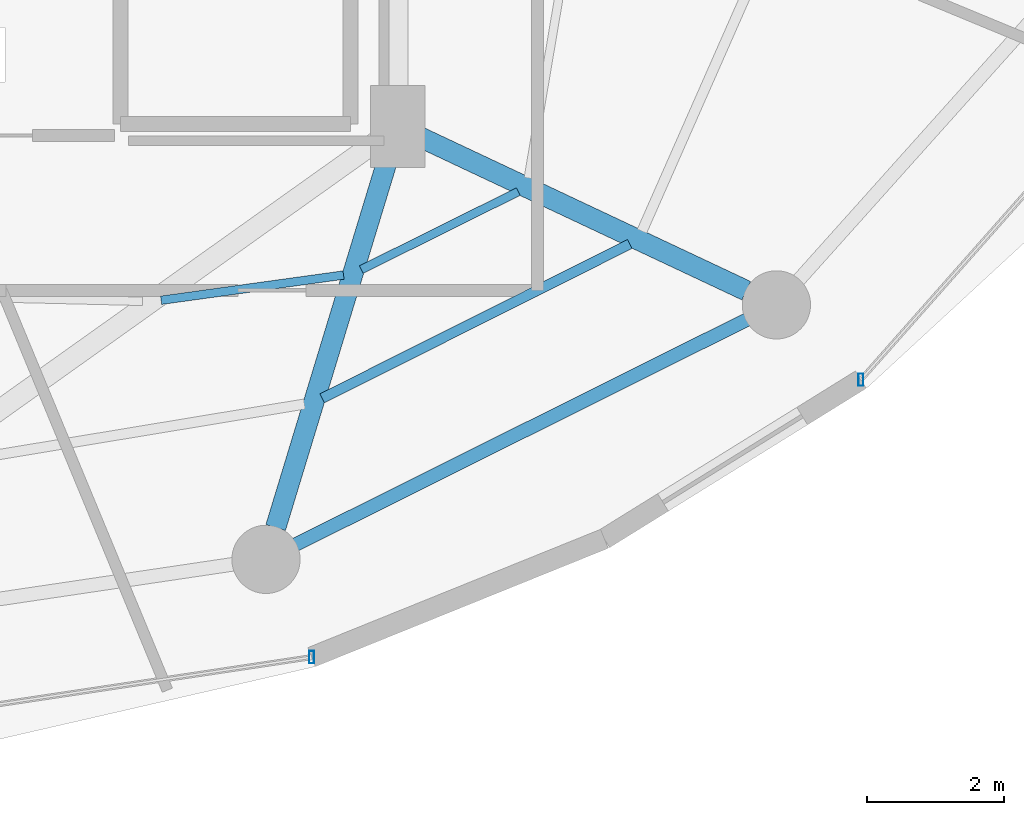
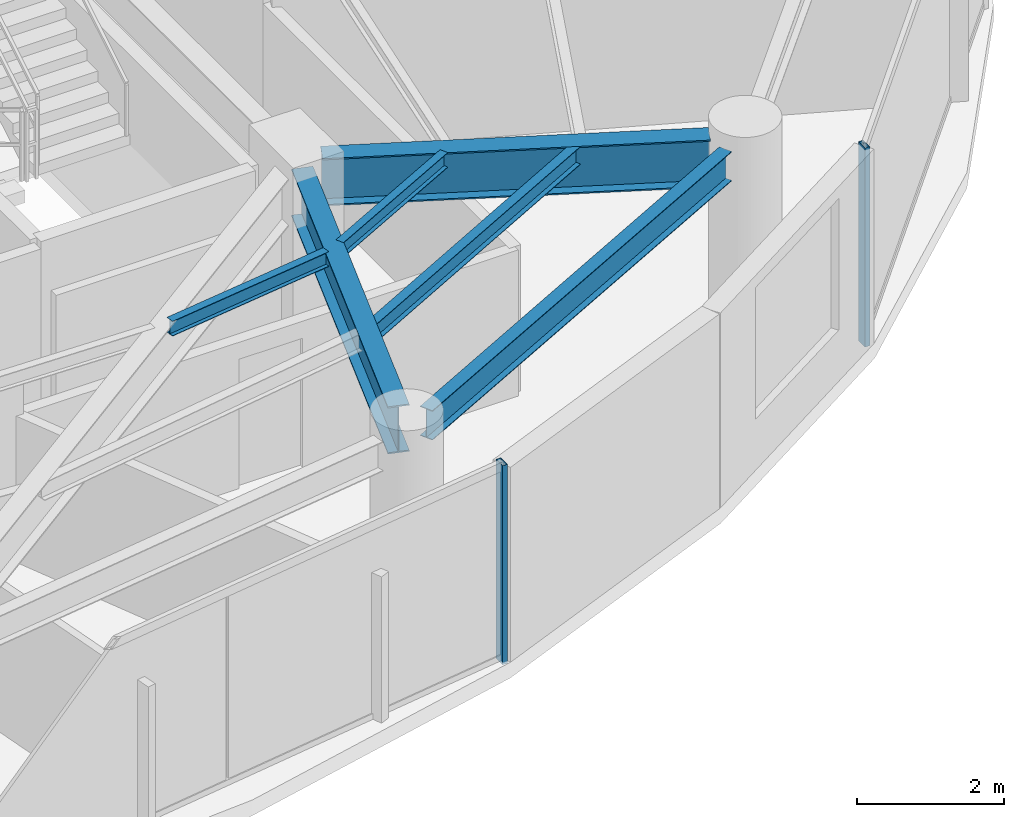
# One storey, part 10 of 28: 6 beams, 2 members, 2 elements without a shape of their own.
"""IFC4 building model written with IfcOpenShell, lengths in metres."""

from ifc_helpers import new_model, si_unit, direction, frame, origin, origin_2d, place, context, subcontext, project, spatial, hollow_rectangle, i_section, extrude, material, material_profile, profile_set, type_object, element, aggregate, save


model = new_model("IFC4")

# Units and contexts
model_context = context("Model", 3, precision=1e-05, world=origin(), true_north=direction((0.0, 1.0)))
body_context = subcontext(model_context, "Body", "Model", "MODEL_VIEW")
ifc_project = project(units=[si_unit("LENGTHUNIT", "METRE"), si_unit("AREAUNIT", "SQUARE_METRE"), si_unit("VOLUMEUNIT", "CUBIC_METRE"), si_unit("PLANEANGLEUNIT", "RADIAN"), si_unit("MASSUNIT", "GRAM", prefix="KILO")], contexts=[model_context])

# Site, building, storey
site_placement = place(None, origin())
site = spatial("IfcSite", under=ifc_project, at=site_placement, CompositionType="ELEMENT")
building_placement = place(site_placement, origin())
building = spatial("IfcBuilding", under=site, at=building_placement, Name="Vorneva Point Tower", CompositionType="ELEMENT")
storey_placement = place(building_placement, frame((0.0, 0.0, 146.60009765625)))
storey = spatial("IfcBuildingStorey", under=building, at=storey_placement, Name="L39", CompositionType="ELEMENT", Elevation=146.60009765625)

# Beams
ifc_material_1 = material(Name="Steel S355", Category="steel")
ifc_material_profile_1 = material_profile(ifc_material_1, i_section(OverallWidth=0.300048828125, OverallDepth=0.7880859375, WebThickness=0.014404296875, FlangeThickness=0.02197265625, at=origin_2d()), Name="80Sh1")
ifc_profile_set_1 = profile_set([ifc_material_profile_1], Name="Steel S355")
beam_type_1 = type_object("IfcBeamType", Name="BM-GRD-80Sh1", PredefinedType="USERDEFINED", material=ifc_profile_set_1)
beam_1_placement = place(storey_placement, frame((46.962890625, 10.576171875, 2.845947265625), z_axis=(0.291049382966, 0.95670803105, 0.0), x_axis=(-0.95670803105, 0.291049382966, 0.0)))
element("IfcBeam", 1, at=beam_1_placement, inside=storey, type_object=beam_type_1, Name="L39 Radial Primary Girder 14", ObjectType="GIRDER", PredefinedType="USERDEFINED", context=body_context, shape_type="SweptSolid", body=[
    extrude(i_section(OverallWidth=0.300048828125, OverallDepth=0.7880859375, WebThickness=0.014404296875, FlangeThickness=0.02197265625, at=origin_2d()), origin(), (0.0, 0.0, 1.0), 5.799560546875),
])
beam_2_placement = place(storey_placement, frame((53.857421875, 14.045654296875, 2.845947265625), z_axis=(-0.904761331435, 0.425918927896, 0.0), x_axis=(-0.425918927896, -0.904761331435, 0.0)))
element("IfcBeam", 2, at=beam_2_placement, inside=storey, type_object=beam_type_1, Name="L39 Radial Primary Girder 15", ObjectType="GIRDER", PredefinedType="USERDEFINED", context=body_context, shape_type="SweptSolid", body=[
    extrude(i_section(OverallWidth=0.300048828125, OverallDepth=0.7880859375, WebThickness=0.014404296875, FlangeThickness=0.02197265625, at=origin_2d()), origin(), (0.0, 0.0, 1.0), 5.304931640625),
])
ifc_material_profile_2 = material_profile(ifc_material_1, i_section(OverallWidth=0.1240234375, OverallDepth=0.248046875, WebThickness=0.0048828125, FlangeThickness=0.008056640625, at=origin_2d()), Name="25B1")
ifc_profile_set_2 = profile_set([ifc_material_profile_2], Name="Steel S355")
beam_type_2 = type_object("IfcBeamType", Name="BM-JST-25B1", PredefinedType="JOIST", material=ifc_profile_set_2)
beam_3_placement = place(storey_placement, frame((45.284912109375, 13.90576171875, 3.115966796875), z_axis=(0.990594076533, 0.136833386051, 0.0), x_axis=(-0.136833386051, 0.990594076533, 0.0)))
element("IfcBeam", 3, at=beam_3_placement, inside=storey, type_object=beam_type_2, Name="L39 Secondary Floor Beam 2.13", PredefinedType="JOIST", context=body_context, shape_type="SweptSolid", body=[
    extrude(i_section(OverallWidth=0.1240234375, OverallDepth=0.248046875, WebThickness=0.0048828125, FlangeThickness=0.008056640625, at=origin_2d()), origin(), (0.0, 0.0, 1.0), 2.69775390625),
])
beam_4_placement = place(storey_placement, frame((48.217529296875, 14.35498046875, 3.115966796875), z_axis=(0.895489131745, 0.445083379746, 0.0), x_axis=(-0.445083379746, 0.895489131745, 0.0)))
element("IfcBeam", 4, at=beam_4_placement, inside=storey, type_object=beam_type_2, Name="L39 Secondary Floor Beam 2.14", PredefinedType="JOIST", context=body_context, shape_type="SweptSolid", body=[
    extrude(i_section(OverallWidth=0.1240234375, OverallDepth=0.248046875, WebThickness=0.0048828125, FlangeThickness=0.008056640625, at=origin_2d()), origin(), (0.0, 0.0, 1.0), 2.56884765625),
])
ifc_material_profile_3 = material_profile(ifc_material_1, i_section(OverallWidth=0.14892578125, OverallDepth=0.298095703125, WebThickness=0.005615234375, FlangeThickness=0.008056640625, at=origin_2d()), Name="30B1")
ifc_profile_set_3 = profile_set([ifc_material_profile_3], Name="Steel S355")
beam_type_3 = type_object("IfcBeamType", Name="BM-JST-30B1", PredefinedType="JOIST", material=ifc_profile_set_3)
beam_5_placement = place(storey_placement, frame((47.643310546875, 12.468994140625, 3.0908203125), z_axis=(0.893855059999, 0.448356032316, 0.0), x_axis=(-0.448356032316, 0.893855059999, 0.0)))
element("IfcBeam", 5, at=beam_5_placement, inside=storey, type_object=beam_type_3, Name="L39 Secondary Floor Beam 1.14", PredefinedType="JOIST", context=body_context, shape_type="SweptSolid", body=[
    extrude(i_section(OverallWidth=0.14892578125, OverallDepth=0.298095703125, WebThickness=0.005615234375, FlangeThickness=0.008056640625, at=origin_2d()), origin(), (0.0, 0.0, 1.0), 5.041748046875),
])
ifc_material_profile_4 = material_profile(ifc_material_1, i_section(OverallWidth=0.199951171875, OverallDepth=0.491943359375, WebThickness=0.0087890625, FlangeThickness=0.011962890625, at=origin_2d()), Name="50B1")
ifc_profile_set_4 = profile_set([ifc_material_profile_4], Name="Steel S355")
beam_type_4 = type_object("IfcBeamType", Name="BM-SPN-50B1", PredefinedType="SPANDREL", material=ifc_profile_set_4)
beam_6_placement = place(storey_placement, frame((47.2548828125, 10.32568359375, 2.993896484375), z_axis=(0.894929061397, 0.446208443518, 0.0), x_axis=(-0.446208443518, 0.894929061397, 0.0)))
element("IfcBeam", 6, at=beam_6_placement, inside=storey, type_object=beam_type_4, Name="L39 Perimeter Spandrel Ring Beam 14", PredefinedType="SPANDREL", context=body_context, shape_type="SweptSolid", body=[
    extrude(i_section(OverallWidth=0.199951171875, OverallDepth=0.491943359375, WebThickness=0.0087890625, FlangeThickness=0.011962890625, at=origin_2d()), origin(), (0.0, 0.0, 1.0), 7.385986328125),
])

# Curtain wall, member
ifc_material_2 = material(Name="Pale anodised aluminium", Category="aluminium")
curtain_wall_type = type_object("IfcCurtainWallType", Name="CW-RES-SYS", PredefinedType="NOTDEFINED", material=ifc_material_2)
curtain_wall_1_placement = place(storey_placement, origin())
curtain_wall_1 = element("IfcCurtainWall", 7, at=curtain_wall_1_placement, inside=storey, type_object=curtain_wall_type, Name="L39 Unitised Curtain Wall CW-L39-R03", PredefinedType="NOTDEFINED")
ifc_material_profile_5 = material_profile(ifc_material_2, hollow_rectangle(XDim=0.074951171875, YDim=0.179931640625, WallThickness=0.00390625, at=origin_2d()), Name="AL-MUL 180x75x4")
ifc_profile_set_5 = profile_set([ifc_material_profile_5], Name="Pale anodised aluminium")
member_type = type_object("IfcMemberType", Name="CW-MUL-180", PredefinedType="MULLION", material=ifc_profile_set_5)
member_1_placement = place(storey_placement, frame((47.490478515625, 8.67724609375, -0.0400390625), z_axis=(0.0, 0.0, 1.0), x_axis=(1.0, 0.0, 0.0)))
member_1 = element("IfcMember", 8, at=member_1_placement, type_object=member_type, Name="CW-L39-R03 Mullion 02", PredefinedType="MULLION", context=body_context, shape_type="SweptSolid", body=[
    extrude(hollow_rectangle(XDim=0.074951171875, YDim=0.179931640625, WallThickness=0.00390625, at=origin_2d()), origin(), (0.0, 0.0, 1.0), 3.31005859375),
])
aggregate(curtain_wall_1, [member_1])

curtain_wall_2_placement = place(storey_placement, origin())
curtain_wall_2 = element("IfcCurtainWall", 9, at=curtain_wall_2_placement, inside=storey, type_object=curtain_wall_type, Name="L39 Unitised Curtain Wall CW-L39-R04", PredefinedType="NOTDEFINED")
member_2_placement = place(storey_placement, frame((55.5361328125, 12.74169921875, -0.0400390625), z_axis=(0.0, 0.0, 1.0), x_axis=(1.0, 0.0, 0.0)))
member_2 = element("IfcMember", 10, at=member_2_placement, type_object=member_type, Name="CW-L39-R04 Mullion 01", PredefinedType="MULLION", context=body_context, shape_type="SweptSolid", body=[
    extrude(hollow_rectangle(XDim=0.074951171875, YDim=0.179931640625, WallThickness=0.00390625, at=origin_2d()), origin(), (0.0, 0.0, 1.0), 3.31005859375),
])
aggregate(curtain_wall_2, [member_2])

save(model, "model.ifc")
